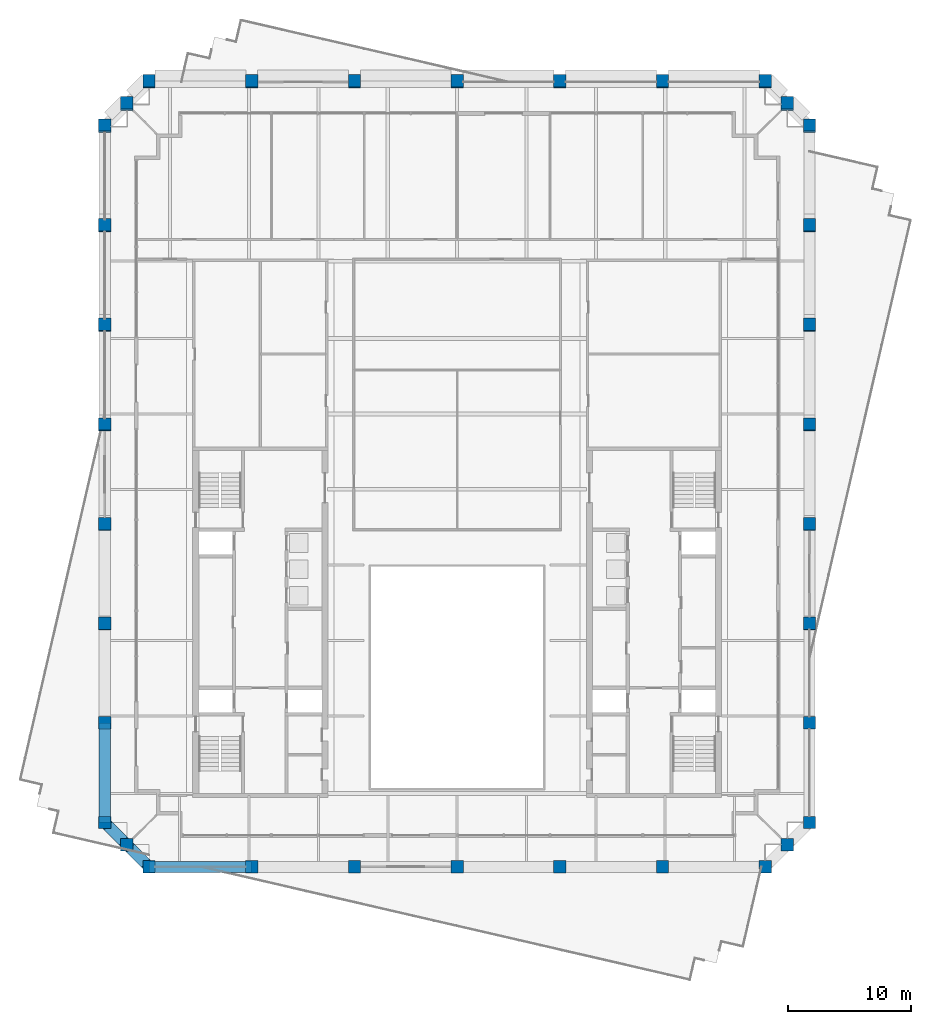
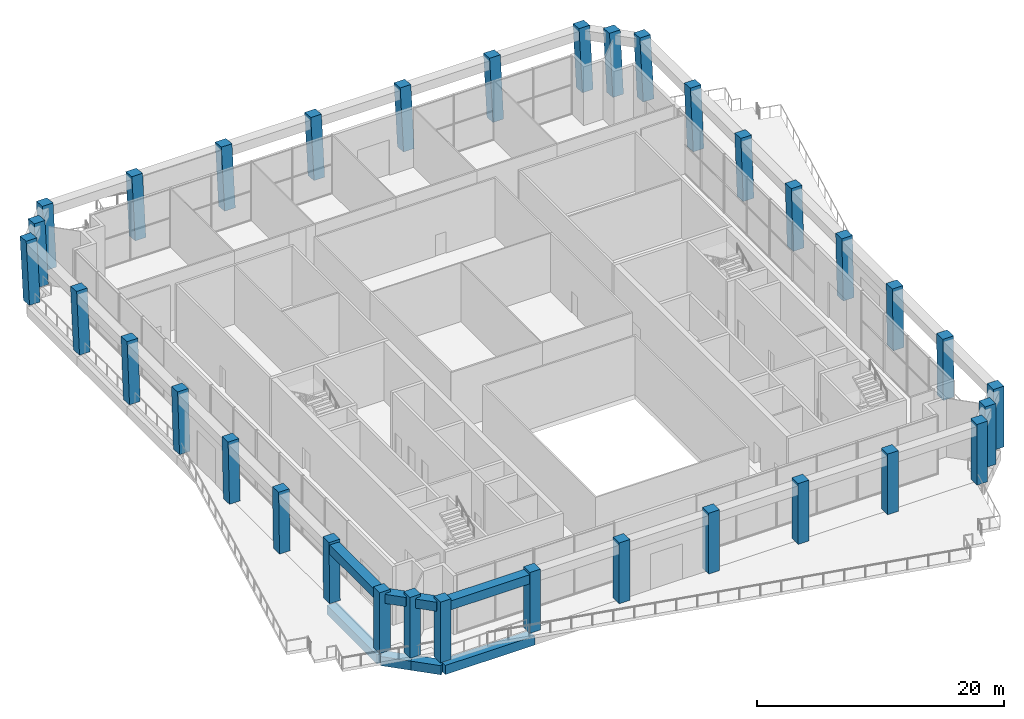
# One storey, part 1 of 20: 34 columns, 8 beams.
"""IFC4 building model written with IfcOpenShell, lengths in metres."""

import ifcopenshell
import ifcopenshell.guid

model = None  # the IFC model being written
_history = None  # IfcOwnerHistory: only IFC2X3 demands one
_inside = {}  # id of a spatial element -> (the spatial element, [elements in it])
_under = {}  # id of a project, library or spatial element -> (it, [spatial elements below it])
_declared = {}  # id of a project -> (the project, [libraries it declares])
_typed = {}  # id of a type object -> (the type object, [elements of that type])
_made_of = {}  # id of a material, layer set ... -> (it, [elements and type objects made of it])


def new_model(schema):
    """Start an empty IFC model of exactly this schema.

    Asked for "IFC4X3", IfcOpenShell would pick the latest addendum, in which some entities
    have other attributes; the version numbers below select the first issue.
    IFC2X3 requires an IfcOwnerHistory on every rooted entity: one is made here for all.
    """
    global model, _history
    if schema == "IFC4X3":
        model = ifcopenshell.file(schema_version=(4, 3, 0, 0))
    else:
        model = ifcopenshell.file(schema=schema)
    _inside.clear()
    _under.clear()
    _declared.clear()
    _typed.clear()
    _made_of.clear()
    _history = None
    if model.schema == "IFC2X3":
        org = make("IfcOrganization", Name="unknown")
        user = make(
            "IfcPersonAndOrganization",
            ThePerson=make("IfcPerson", FamilyName="unknown"),
            TheOrganization=org,
        )
        app = make(
            "IfcApplication",
            ApplicationDeveloper=org,
            Version="unknown",
            ApplicationFullName="unknown",
            ApplicationIdentifier="unknown",
        )
        _history = make(
            "IfcOwnerHistory",
            OwningUser=user,
            OwningApplication=app,
            ChangeAction="ADDED",
            CreationDate=0,
        )
    return model


def make(cls, **values):
    """One entity of the class cls with the attributes given. An attribute that is None is left unset."""
    return model.create_entity(
        cls, **{name: value for name, value in values.items() if value is not None}
    )


def rooted(cls, **values):
    """An entity with a GlobalId (a new one), such as an element, a storey or a relation."""
    return make(cls, GlobalId=ifcopenshell.guid.new(), OwnerHistory=_history, **values)


def si_unit(unit_type, name, prefix=None):
    """IfcSIUnit, for example si_unit("LENGTHUNIT", "METRE", prefix="MILLI")."""
    return make("IfcSIUnit", UnitType=unit_type, Prefix=prefix, Name=name)


def assignment(units):
    """IfcUnitAssignment: the units of a project."""
    return None if units is None else make("IfcUnitAssignment", Units=units)


def point(xyz):
    """IfcCartesianPoint."""
    return None if xyz is None else make("IfcCartesianPoint", Coordinates=xyz)


def direction(xyz):
    """IfcDirection."""
    return None if xyz is None else make("IfcDirection", DirectionRatios=xyz)


def frame(location, z_axis=None, x_axis=None):
    """IfcAxis2Placement3D, a coordinate frame: its origin and axes. An axis left out is left unset."""
    return make(
        "IfcAxis2Placement3D",
        Location=point(location),
        Axis=direction(z_axis),
        RefDirection=direction(x_axis),
    )


def frame_2d(location, x_axis=None):
    """IfcAxis2Placement2D, a coordinate frame in the plane: its origin and x axis."""
    return make(
        "IfcAxis2Placement2D", Location=point(location), RefDirection=direction(x_axis)
    )


def origin():
    """The frame at (0, 0, 0) with its axes left unset."""
    return frame((0.0, 0.0, 0.0))


def origin_2d():
    """The frame at (0, 0) in the plane with its x axis left unset."""
    return frame_2d((0.0, 0.0))


def place(relative_to, where):
    """IfcLocalPlacement: puts the frame where relative to a parent placement (None: the world)."""
    return make(
        "IfcLocalPlacement", PlacementRelTo=relative_to, RelativePlacement=where
    )


def context(
    kind, dimensions, precision=None, world=None, true_north=None, identifier=None
):
    """IfcGeometricRepresentationContext, for example the 3D "Model" context."""
    return make(
        "IfcGeometricRepresentationContext",
        ContextIdentifier=identifier,
        ContextType=kind,
        CoordinateSpaceDimension=dimensions,
        Precision=precision,
        WorldCoordinateSystem=world,
        TrueNorth=true_north,
    )


def subcontext(parent, identifier, kind, view, scale=None):
    """IfcGeometricRepresentationSubContext, for example "Body" below "Model"."""
    return make(
        "IfcGeometricRepresentationSubContext",
        ContextIdentifier=identifier,
        ContextType=kind,
        ParentContext=parent,
        TargetScale=scale,
        TargetView=view,
    )


def project(units=None, contexts=None):
    """IfcProject with its units and contexts."""
    return rooted(
        "IfcProject",
        Name="project",
        RepresentationContexts=contexts,
        UnitsInContext=assignment(units),
    )


def spatial(cls, under=None, at=None, **own):
    """A site, building, storey or space (cls), placed at a placement, below another one or the project."""
    s = rooted(cls, ObjectPlacement=at, **own)
    if under is not None:
        _under.setdefault(under.id(), (under, []))[1].append(s)
    return s


def profile(cls, at=None, kind="AREA", **sizes):
    """A parametric profile (cls). Its sizes go by their IFC names, for example OverallWidth=200.0."""
    return make(cls, ProfileType=kind, Position=at, **sizes)


def rectangle(**sizes):
    """IfcRectangleProfileDef."""
    return profile("IfcRectangleProfileDef", **sizes)


def extrude(swept, where, along, depth):
    """IfcExtrudedAreaSolid: the profile swept, set in the frame where, extruded along a direction by depth."""
    return make(
        "IfcExtrudedAreaSolid",
        SweptArea=swept,
        Position=where,
        ExtrudedDirection=direction(along),
        Depth=depth,
    )


def shape(context_of_items, identifier, shape_type, items):
    """IfcShapeRepresentation: the items that make up one representation, for example the "Body"."""
    return make(
        "IfcShapeRepresentation",
        ContextOfItems=context_of_items,
        RepresentationIdentifier=identifier,
        RepresentationType=shape_type,
        Items=items,
    )


def material(Name=None, Category=None):
    """IfcMaterial."""
    return make("IfcMaterial", Name=Name, Category=Category)


def material_profile(
    of_material, cross_section, Name=None, Category=None, Priority=None
):
    """IfcMaterialProfile: a cross section and its material."""
    return make(
        "IfcMaterialProfile",
        Name=Name,
        Material=of_material,
        Profile=cross_section,
        Priority=Priority,
        Category=Category,
    )


def profile_set(profiles, Name=None, composite=None):
    """IfcMaterialProfileSet."""
    return make(
        "IfcMaterialProfileSet",
        Name=Name,
        MaterialProfiles=profiles,
        CompositeProfile=composite,
    )


def made_of(thing, what):
    """Note that an element or type object is made of a material, layer set ...; save() writes the relation."""
    if what is not None:
        _made_of.setdefault(what.id(), (what, []))[1].append(thing)
    return thing


def type_object(cls, material=None, **own):
    """A type object (cls), such as IfcWallType, which elements share."""
    return made_of(rooted(cls, **own), material)


def element(
    cls,
    number,
    at=None,
    inside=None,
    cuts=None,
    type_object=None,
    material=None,
    context=None,
    identifier="Body",
    shape_type=None,
    held_by="IfcProductDefinitionShape",
    body=None,
    shapes=None,
    **own,
):
    """One element of the class cls, such as IfcWall. Its Tag is "e" and its number.

    at: its placement. inside: the storey or other place that contains it. cuts: it is an
    opening in that element (IfcRelVoidsElement). A single representation is given by context,
    identifier, shape_type and body (its items); several are given by shapes. held_by: the class
    of the entity that holds the representations. save() writes the other relations.
    """
    e = rooted(cls, Tag="e%d" % number, ObjectPlacement=at, **own)
    if body is not None:
        shapes = [shape(context, identifier, shape_type, body)]
    if shapes is not None:
        e.Representation = make(held_by, Representations=shapes)
    if inside is not None:
        _inside.setdefault(inside.id(), (inside, []))[1].append(e)
    if cuts is not None:
        rooted(
            "IfcRelVoidsElement", RelatingBuildingElement=cuts, RelatedOpeningElement=e
        )
    if type_object is not None:
        _typed.setdefault(type_object.id(), (type_object, []))[1].append(e)
    return made_of(e, material)


def aggregate(whole, parts):
    """IfcRelAggregates: a whole, such as a stair, and the parts it consists of."""
    return rooted("IfcRelAggregates", RelatingObject=whole, RelatedObjects=parts)


def save(model, path):
    """Write the relations noted so far, then the file.

    IfcRelAggregates (storeys below a building ...), IfcRelContainedInSpatialStructure (elements
    in a storey), IfcRelDefinesByType, IfcRelAssociatesMaterial and IfcRelDeclares: one each for
    every whole, place, type object, material and project.
    """
    for whole, parts in _under.values():
        aggregate(whole, parts)
    for where, things in _inside.values():
        rooted(
            "IfcRelContainedInSpatialStructure",
            RelatedElements=things,
            RelatingStructure=where,
        )
    for kind, things in _typed.values():
        rooted("IfcRelDefinesByType", RelatedObjects=things, RelatingType=kind)
    for what, things in _made_of.values():
        rooted("IfcRelAssociatesMaterial", RelatedObjects=things, RelatingMaterial=what)
    for by, libraries in _declared.values():
        rooted("IfcRelDeclares", RelatingContext=by, RelatedDefinitions=libraries)
    model.write(path)


model = new_model("IFC4")

# Units and contexts
model_context = context("Model", 3, precision=1e-05, world=origin(), true_north=direction((0.0, 1.0)))
body_context = subcontext(model_context, "Body", "Model", "MODEL_VIEW")
ifc_project = project(units=[si_unit("LENGTHUNIT", "METRE"), si_unit("AREAUNIT", "SQUARE_METRE"), si_unit("VOLUMEUNIT", "CUBIC_METRE"), si_unit("PLANEANGLEUNIT", "RADIAN"), si_unit("MASSUNIT", "GRAM", prefix="KILO")], contexts=[model_context])

# Site, building, storey
site_placement = place(None, origin())
site = spatial("IfcSite", under=ifc_project, at=site_placement, CompositionType="ELEMENT")
building_placement = place(site_placement, origin())
building = spatial("IfcBuilding", under=site, at=building_placement, Name="Ogive Exchange Tower", CompositionType="ELEMENT")
storey_placement = place(building_placement, frame((0.0, 0.0, 303.0)))
storey = spatial("IfcBuildingStorey", under=building, at=storey_placement, Name="L66", CompositionType="ELEMENT", Elevation=303.0)

# Columns
ifc_material = material(Name="Precast concrete C70/85 (limestone faced)", Category="masonry")
ifc_material_profile_1 = material_profile(ifc_material, rectangle(XDim=1.0, YDim=1.0, at=origin_2d()), Name="1000 x 1000")
ifc_profile_set_1 = profile_set([ifc_material_profile_1], Name="Precast concrete C70/85 (limestone faced)")
column_type = type_object("IfcColumnType", Name="Precast exoskeleton leg 1000 x 1000 C70/85", PredefinedType="COLUMN", material=ifc_profile_set_1)
for number, where, z_axis, x_axis, name in (
    (1, (-25.050048828125, -8.39990234375, 0.0), (0.0, 0.0, 1.0), (1.0, 0.0, 0.0), "Exoskeleton leg 1"),
    (2, (-16.699951171875, -8.39990234375, 0.0), (0.0, 0.0, 1.0), (1.0, 0.0, 0.0), "Exoskeleton leg 2"),
    (3, (-8.35009765625, -8.39990234375, 0.0), (0.0, 0.0, 1.0), (1.0, 0.0, 0.0), "Exoskeleton leg 3"),
    (4, (0.0, -8.39990234375, 0.0), (0.0, 0.0, 1.0), (1.0, 0.0, 0.0), "Exoskeleton leg 4"),
    (5, (8.35009765625, -8.39990234375, 0.0), (0.0, 0.0, 1.0), (1.0, 0.0, 0.0), "Exoskeleton leg 5"),
    (6, (16.699951171875, -8.39990234375, 0.0), (0.0, 0.0, 1.0), (1.0, 0.0, 0.0), "Exoskeleton leg 6"),
    (7, (25.050048828125, -8.39990234375, 0.0), (0.0, 0.0, 1.0), (1.0, 0.0, 0.0), "Exoskeleton leg 7"),
    (8, (28.64990234375, -4.800048828125, 0.0), (0.0, 0.0, 1.0), (1.0, 0.0, 0.0), "Exoskeleton leg 8"),
):
    element("IfcColumn", number, at=place(storey_placement, frame(where, z_axis=z_axis, x_axis=x_axis)), inside=storey, type_object=column_type, Name=name, PredefinedType="COLUMN", context=body_context, shape_type="SweptSolid", body=[
        extrude(rectangle(XDim=1.0, YDim=1.0, at=origin_2d()), origin(), (0.0, 0.0, 1.0), 6.0),
    ])
column_1_placement = place(storey_placement, frame((28.64990234375, 3.28564453125, 0.0), z_axis=(0.0, 0.012979049893, 0.999915768584), x_axis=(-1.0, 0.0, 0.0)))
element("IfcColumn", 9, at=column_1_placement, inside=storey, type_object=column_type, Name="Exoskeleton leg 9", PredefinedType="COLUMN", context=body_context, shape_type="SweptSolid", body=[
    extrude(rectangle(XDim=1.0, YDim=1.0, at=origin_2d()), origin(), (0.0, 0.0, 1.0), 6.00048828125),
])
column_2_placement = place(storey_placement, frame((28.64990234375, 11.371337890625, 0.0), z_axis=(0.0, 0.025992192026, 0.999662145904), x_axis=(-1.0, 0.0, 0.0)))
element("IfcColumn", 10, at=column_2_placement, inside=storey, type_object=column_type, Name="Exoskeleton leg 10", PredefinedType="COLUMN", context=body_context, shape_type="SweptSolid", body=[
    extrude(rectangle(XDim=1.0, YDim=1.0, at=origin_2d()), origin(), (0.0, 0.0, 1.0), 6.001953125),
])
column_3_placement = place(storey_placement, frame((28.64990234375, 19.45703125, 0.0), z_axis=(0.0, 0.038951537056, 0.999241100917), x_axis=(-1.0, 0.0, 0.0)))
element("IfcColumn", 11, at=column_3_placement, inside=storey, type_object=column_type, Name="Exoskeleton leg 11", PredefinedType="COLUMN", context=body_context, shape_type="SweptSolid", body=[
    extrude(rectangle(XDim=1.0, YDim=1.0, at=origin_2d()), origin(), (0.0, 0.0, 1.0), 6.004638671875),
])
column_4_placement = place(storey_placement, frame((28.64990234375, 27.54296875, 0.0), z_axis=(0.0, 0.051850731755, 0.998654846089), x_axis=(-1.0, 0.0, 0.0)))
element("IfcColumn", 12, at=column_4_placement, inside=storey, type_object=column_type, Name="Exoskeleton leg 12", PredefinedType="COLUMN", context=body_context, shape_type="SweptSolid", body=[
    extrude(rectangle(XDim=1.0, YDim=1.0, at=origin_2d()), origin(), (0.0, 0.0, 1.0), 6.008056640625),
])
column_5_placement = place(storey_placement, frame((28.64990234375, 35.628662109375, 0.0), z_axis=(0.0, 0.064804896388, 0.997897953402), x_axis=(-1.0, 0.0, 0.0)))
element("IfcColumn", 13, at=column_5_placement, inside=storey, type_object=column_type, Name="Exoskeleton leg 13", PredefinedType="COLUMN", context=body_context, shape_type="SweptSolid", body=[
    extrude(rectangle(XDim=1.0, YDim=1.0, at=origin_2d()), origin(), (0.0, 0.0, 1.0), 6.0126953125),
])
column_6_placement = place(storey_placement, frame((28.64990234375, 43.71435546875, 0.0), z_axis=(0.0, 0.077686060533, 0.996977871369), x_axis=(-1.0, 0.0, 0.0)))
element("IfcColumn", 14, at=column_6_placement, inside=storey, type_object=column_type, Name="Exoskeleton leg 14", PredefinedType="COLUMN", context=body_context, shape_type="SweptSolid", body=[
    extrude(rectangle(XDim=1.0, YDim=1.0, at=origin_2d()), origin(), (0.0, 0.0, 1.0), 6.01806640625),
])
for number, where, z_axis, x_axis, name in (
    (15, (28.64990234375, 51.800048828125, 0.0), (0.0, 0.090528438609, 0.995893870753), (-1.0, 0.0, 0.0), "Exoskeleton leg 15"),
    (16, (25.050048828125, 55.39990234375, 0.0), (0.0, 0.090568629311, 0.995890216532), (-1.0, 0.0, 0.0), "Exoskeleton leg 16"),
    (17, (16.699951171875, 55.39990234375, 0.0), (0.0, 0.090568629311, 0.995890216532), (-1.0, 0.0, 0.0), "Exoskeleton leg 17"),
    (18, (8.35009765625, 55.39990234375, 0.0), (0.0, 0.090568629311, 0.995890216532), (-1.0, 0.0, 0.0), "Exoskeleton leg 18"),
):
    element("IfcColumn", number, at=place(storey_placement, frame(where, z_axis=z_axis, x_axis=x_axis)), inside=storey, type_object=column_type, Name=name, PredefinedType="COLUMN", context=body_context, shape_type="SweptSolid", body=[
        extrude(rectangle(XDim=1.0, YDim=1.0, at=origin_2d()), origin(), (0.0, 0.0, 1.0), 6.024658203125),
    ])
column_7_placement = place(storey_placement, frame((0.0, 55.40869140625, 0.094482421875), z_axis=(0.0, 0.090535746043, 0.995893206468), x_axis=(-1.0, 0.0, 0.0)))
element("IfcColumn", 19, at=column_7_placement, inside=storey, type_object=column_type, Name="Exoskeleton leg 19", PredefinedType="COLUMN", context=body_context, shape_type="SweptSolid", body=[
    extrude(rectangle(XDim=1.0, YDim=1.0, at=origin_2d()), origin(), (0.0, 0.0, 1.0), 5.929931640625),
])
for number, where, z_axis, x_axis, name in (
    (20, (-8.35009765625, 55.39990234375, 0.0), (0.0, 0.090568629311, 0.995890216532), (-1.0, 0.0, 0.0), "Exoskeleton leg 20"),
    (21, (-16.699951171875, 55.39990234375, 0.0), (0.0, 0.090568629311, 0.995890216532), (-1.0, 0.0, 0.0), "Exoskeleton leg 21"),
    (22, (-25.050048828125, 55.39990234375, 0.0), (0.0, 0.090568629311, 0.995890216532), (-1.0, 0.0, 0.0), "Exoskeleton leg 22"),
    (23, (-28.64990234375, 51.800048828125, 0.0), (0.0, 0.090528438609, 0.995893870753), (-1.0, 0.0, 0.0), "Exoskeleton leg 23"),
):
    element("IfcColumn", number, at=place(storey_placement, frame(where, z_axis=z_axis, x_axis=x_axis)), inside=storey, type_object=column_type, Name=name, PredefinedType="COLUMN", context=body_context, shape_type="SweptSolid", body=[
        extrude(rectangle(XDim=1.0, YDim=1.0, at=origin_2d()), origin(), (0.0, 0.0, 1.0), 6.024658203125),
    ])
column_8_placement = place(storey_placement, frame((-28.64990234375, 43.71435546875, 0.0), z_axis=(0.0, 0.077686060533, 0.996977871369), x_axis=(-1.0, 0.0, 0.0)))
element("IfcColumn", 24, at=column_8_placement, inside=storey, type_object=column_type, Name="Exoskeleton leg 24", PredefinedType="COLUMN", context=body_context, shape_type="SweptSolid", body=[
    extrude(rectangle(XDim=1.0, YDim=1.0, at=origin_2d()), origin(), (0.0, 0.0, 1.0), 6.01806640625),
])
column_9_placement = place(storey_placement, frame((-28.64990234375, 35.628662109375, 0.0), z_axis=(0.0, 0.064804896388, 0.997897953402), x_axis=(-1.0, 0.0, 0.0)))
element("IfcColumn", 25, at=column_9_placement, inside=storey, type_object=column_type, Name="Exoskeleton leg 25", PredefinedType="COLUMN", context=body_context, shape_type="SweptSolid", body=[
    extrude(rectangle(XDim=1.0, YDim=1.0, at=origin_2d()), origin(), (0.0, 0.0, 1.0), 6.0126953125),
])
column_10_placement = place(storey_placement, frame((-28.64990234375, 27.54296875, 0.0), z_axis=(0.0, 0.051850731755, 0.998654846089), x_axis=(-1.0, 0.0, 0.0)))
element("IfcColumn", 26, at=column_10_placement, inside=storey, type_object=column_type, Name="Exoskeleton leg 26", PredefinedType="COLUMN", context=body_context, shape_type="SweptSolid", body=[
    extrude(rectangle(XDim=1.0, YDim=1.0, at=origin_2d()), origin(), (0.0, 0.0, 1.0), 6.008056640625),
])
column_11_placement = place(storey_placement, frame((-28.64990234375, 19.45703125, 0.0), z_axis=(0.0, 0.038951537056, 0.999241100917), x_axis=(-1.0, 0.0, 0.0)))
element("IfcColumn", 27, at=column_11_placement, inside=storey, type_object=column_type, Name="Exoskeleton leg 27", PredefinedType="COLUMN", context=body_context, shape_type="SweptSolid", body=[
    extrude(rectangle(XDim=1.0, YDim=1.0, at=origin_2d()), origin(), (0.0, 0.0, 1.0), 6.004638671875),
])
column_12_placement = place(storey_placement, frame((-28.64990234375, 11.371337890625, 0.0), z_axis=(0.0, 0.025992192026, 0.999662145904), x_axis=(-1.0, 0.0, 0.0)))
element("IfcColumn", 28, at=column_12_placement, inside=storey, type_object=column_type, Name="Exoskeleton leg 28", PredefinedType="COLUMN", context=body_context, shape_type="SweptSolid", body=[
    extrude(rectangle(XDim=1.0, YDim=1.0, at=origin_2d()), origin(), (0.0, 0.0, 1.0), 6.001953125),
])
column_13_placement = place(storey_placement, frame((-28.64990234375, 3.28564453125, 0.0), z_axis=(0.0, 0.012979049893, 0.999915768584), x_axis=(-1.0, 0.0, 0.0)))
element("IfcColumn", 29, at=column_13_placement, inside=storey, type_object=column_type, Name="Exoskeleton leg 29", PredefinedType="COLUMN", context=body_context, shape_type="SweptSolid", body=[
    extrude(rectangle(XDim=1.0, YDim=1.0, at=origin_2d()), origin(), (0.0, 0.0, 1.0), 6.00048828125),
])
for number, where, z_axis, x_axis, name in (
    (30, (-28.64990234375, -4.800048828125, 0.0), (0.0, 0.0, 1.0), (1.0, 0.0, 0.0), "Exoskeleton leg 30"),
    (31, (26.85009765625, -6.60009765625, 0.0), (0.0, 0.0, 1.0), (1.0, 0.0, 0.0), "Exoskeleton leg 31"),
):
    element("IfcColumn", number, at=place(storey_placement, frame(where, z_axis=z_axis, x_axis=x_axis)), inside=storey, type_object=column_type, Name=name, PredefinedType="COLUMN", context=body_context, shape_type="SweptSolid", body=[
        extrude(rectangle(XDim=1.0, YDim=1.0, at=origin_2d()), origin(), (0.0, 0.0, 1.0), 6.0),
    ])
for number, where, z_axis, x_axis, name in (
    (32, (26.85009765625, 53.60009765625, 0.0), (0.0, 0.090528438609, 0.995893870753), (-1.0, 0.0, 0.0), "Exoskeleton leg 32"),
    (33, (-26.85009765625, 53.60009765625, 0.0), (0.0, 0.090528438609, 0.995893870753), (-1.0, 0.0, 0.0), "Exoskeleton leg 33"),
):
    element("IfcColumn", number, at=place(storey_placement, frame(where, z_axis=z_axis, x_axis=x_axis)), inside=storey, type_object=column_type, Name=name, PredefinedType="COLUMN", context=body_context, shape_type="SweptSolid", body=[
        extrude(rectangle(XDim=1.0, YDim=1.0, at=origin_2d()), origin(), (0.0, 0.0, 1.0), 6.024658203125),
    ])
column_14_placement = place(storey_placement, frame((-26.85009765625, -6.60009765625, 0.0), z_axis=(0.0, 0.0, 1.0), x_axis=(1.0, 0.0, 0.0)))
element("IfcColumn", 34, at=column_14_placement, inside=storey, type_object=column_type, Name="Exoskeleton leg 34", PredefinedType="COLUMN", context=body_context, shape_type="SweptSolid", body=[
    extrude(rectangle(XDim=1.0, YDim=1.0, at=origin_2d()), origin(), (0.0, 0.0, 1.0), 6.0),
])

# Beams
ifc_material_profile_2 = material_profile(ifc_material, rectangle(XDim=0.89990234375, YDim=0.89990234375, at=origin_2d()), Name="900 x 900")
ifc_profile_set_2 = profile_set([ifc_material_profile_2], Name="Precast concrete C70/85 (limestone faced)")
beam_type_1 = type_object("IfcBeamType", Name="Precast spandrel 900 x 900 C70/85", PredefinedType="SPANDREL", material=ifc_profile_set_2)
beam_1_placement = place(storey_placement, frame((-24.570068359375, -8.39990234375, 5.300048828125), z_axis=(1.0, 0.0, 0.0), x_axis=(0.0, 1.0, 0.0)))
element("IfcBeam", 35, at=beam_1_placement, inside=storey, type_object=beam_type_1, Name="Spandrel 1", PredefinedType="SPANDREL", context=body_context, shape_type="SweptSolid", body=[
    extrude(rectangle(XDim=0.89990234375, YDim=0.89990234375, at=origin_2d()), origin(), (0.0, 0.0, 1.0), 7.39013671875),
])
beam_2_placement = place(storey_placement, frame((-28.64990234375, 2.883544921875, 5.300048828125), z_axis=(0.0, -1.0, 0.0), x_axis=(1.0, 0.0, 0.0)))
element("IfcBeam", 36, at=beam_2_placement, inside=storey, type_object=beam_type_1, Name="Spandrel 32", PredefinedType="SPANDREL", context=body_context, shape_type="SweptSolid", body=[
    extrude(rectangle(XDim=0.89990234375, YDim=0.89990234375, at=origin_2d()), origin(), (0.0, 0.0, 1.0), 7.20361328125),
])
for number, where, z_axis, x_axis, name in (
    (37, (-28.362060546875, -5.087890625, 5.300048828125), (0.707106781187, -0.707106781187, 0.0), (0.707106781187, 0.707106781187, 0.0), "Spandrel 33"),
    (38, (-26.56201171875, -6.887939453125, 5.300048828125), (0.707106781187, -0.707106781187, 0.0), (0.707106781187, 0.707106781187, 0.0), "Spandrel 34"),
):
    element("IfcBeam", number, at=place(storey_placement, frame(where, z_axis=z_axis, x_axis=x_axis)), inside=storey, type_object=beam_type_1, Name=name, PredefinedType="SPANDREL", context=body_context, shape_type="SweptSolid", body=[
        extrude(rectangle(XDim=0.89990234375, YDim=0.89990234375, at=origin_2d()), origin(), (0.0, 0.0, 1.0), 1.731201171875),
    ])
ifc_material_profile_3 = material_profile(ifc_material, rectangle(XDim=0.89990234375, YDim=0.89990234375, at=origin_2d()), Name="900 x 900")
ifc_profile_set_3 = profile_set([ifc_material_profile_3], Name="Precast concrete C70/85 (limestone faced)")
beam_type_2 = type_object("IfcBeamType", Name="Precast transfer girder 900 x 900 C70/85", PredefinedType="BEAM", material=ifc_profile_set_3)
beam_3_placement = place(storey_placement, frame((-25.050048828125, -8.39990234375, -0.89990234375), z_axis=(1.0, 0.0, 0.0), x_axis=(0.0, 1.0, 0.0)))
element("IfcBeam", 39, at=beam_3_placement, inside=storey, type_object=beam_type_2, Name="Transfer girder 1", PredefinedType="BEAM", context=body_context, shape_type="SweptSolid", body=[
    extrude(rectangle(XDim=0.89990234375, YDim=0.89990234375, at=origin_2d()), origin(), (0.0, 0.0, 1.0), 8.35009765625),
])
beam_4_placement = place(storey_placement, frame((-28.64990234375, 3.28564453125, -0.89990234375), z_axis=(0.0, -1.0, 0.0), x_axis=(1.0, 0.0, 0.0)))
element("IfcBeam", 40, at=beam_4_placement, inside=storey, type_object=beam_type_2, Name="Transfer girder 32", PredefinedType="BEAM", context=body_context, shape_type="SweptSolid", body=[
    extrude(rectangle(XDim=0.89990234375, YDim=0.89990234375, at=origin_2d()), origin(), (0.0, 0.0, 1.0), 8.085693359375),
])
for number, where, z_axis, x_axis, name in (
    (41, (-28.64990234375, -4.800048828125, -0.89990234375), (0.707058823862, -0.707154735259, 0.0), (0.707154735259, 0.707058823862, 0.0), "Transfer girder 33"),
    (42, (-26.85009765625, -6.60009765625, -0.89990234375), (0.707154735259, -0.707058823862, 0.0), (0.707058823862, 0.707154735259, 0.0), "Transfer girder 34"),
):
    element("IfcBeam", number, at=place(storey_placement, frame(where, z_axis=z_axis, x_axis=x_axis)), inside=storey, type_object=beam_type_2, Name=name, PredefinedType="BEAM", context=body_context, shape_type="SweptSolid", body=[
        extrude(rectangle(XDim=0.89990234375, YDim=0.89990234375, at=origin_2d()), origin(), (0.0, 0.0, 1.0), 2.54541015625),
    ])

save(model, "model.ifc")
